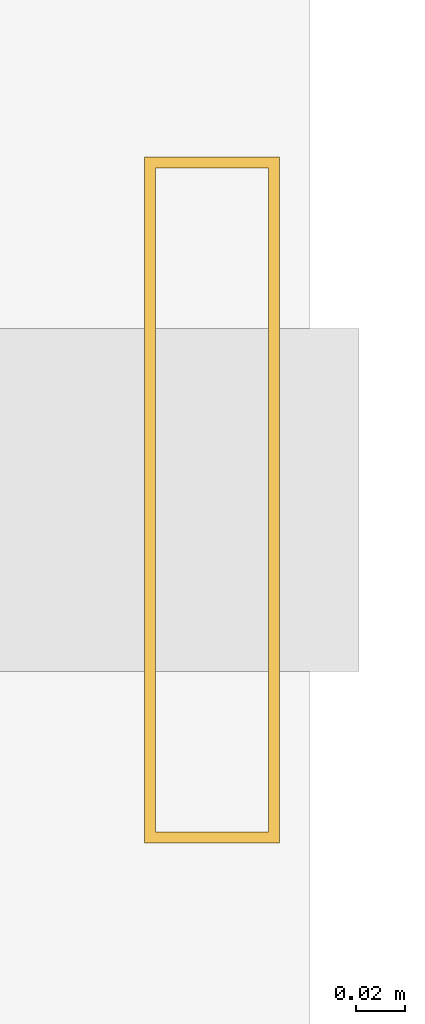
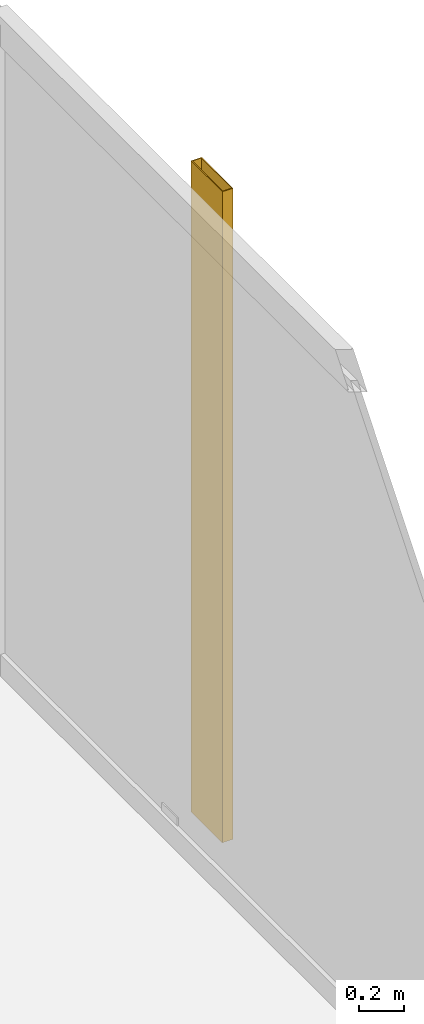
# One storey, part 24 of 24: 1 shading device.
"""IFC4 building model written with IfcOpenShell, lengths in metres."""

from ifc_helpers import new_model, si_unit, direction, frame, origin, origin_2d, place, context, subcontext, project, spatial, hollow_rectangle, extrude, material, material_profile, profile_set, type_object, element, save


model = new_model("IFC4")

# Units and contexts
model_context = context("Model", 3, precision=1e-05, world=origin(), true_north=direction((0.0, 1.0)))
body_context = subcontext(model_context, "Body", "Model", "MODEL_VIEW")
ifc_project = project(units=[si_unit("LENGTHUNIT", "METRE"), si_unit("AREAUNIT", "SQUARE_METRE"), si_unit("VOLUMEUNIT", "CUBIC_METRE"), si_unit("PLANEANGLEUNIT", "RADIAN"), si_unit("MASSUNIT", "GRAM", prefix="KILO")], contexts=[model_context])

# Site, building, storey
site_placement = place(None, origin())
site = spatial("IfcSite", under=ifc_project, at=site_placement, CompositionType="ELEMENT")
building_placement = place(site_placement, origin())
building = spatial("IfcBuilding", under=site, at=building_placement, Name="Kolvaren Waterfront Exchange", CompositionType="ELEMENT")
storey_placement = place(building_placement, frame((0.0, 0.0, 285.60009765625)))
storey = spatial("IfcBuildingStorey", under=building, at=storey_placement, Name="L73", CompositionType="ELEMENT", Elevation=285.60009765625)

# Shading device
ifc_material = material(Name="Anodised bronze aluminium 6063-T6", Category="aluminium")
ifc_material_profile = material_profile(ifc_material, hollow_rectangle(XDim=0.054931640625, YDim=0.280029296875, WallThickness=0.00439453125, at=origin_2d()), Name="BRZ-FIN-280x55x4.5")
ifc_profile_set = profile_set([ifc_material_profile], Name="Anodised bronze aluminium 6063-T6")
shading_device_type = type_object("IfcShadingDeviceType", Name="ARC-FIN-280", PredefinedType="USERDEFINED", material=ifc_profile_set)
shading_device_placement = place(storey_placement, frame((21.296875, 38.0, 0.0), z_axis=(0.0, 0.0, 1.0), x_axis=(1.0, 0.0, 0.0)))
element("IfcShadingDevice", 1, at=shading_device_placement, inside=storey, type_object=shading_device_type, Name="L73 anodised bronze solar shading fin FIN-L73-E3", ObjectType="SOLAR FIN", PredefinedType="USERDEFINED", context=body_context, shape_type="SweptSolid", body=[
    extrude(hollow_rectangle(XDim=0.054931640625, YDim=0.280029296875, WallThickness=0.00439453125, at=origin_2d()), origin(), (0.0, 0.0, 1.0), 3.559814453125),
])

save(model, "model.ifc")
